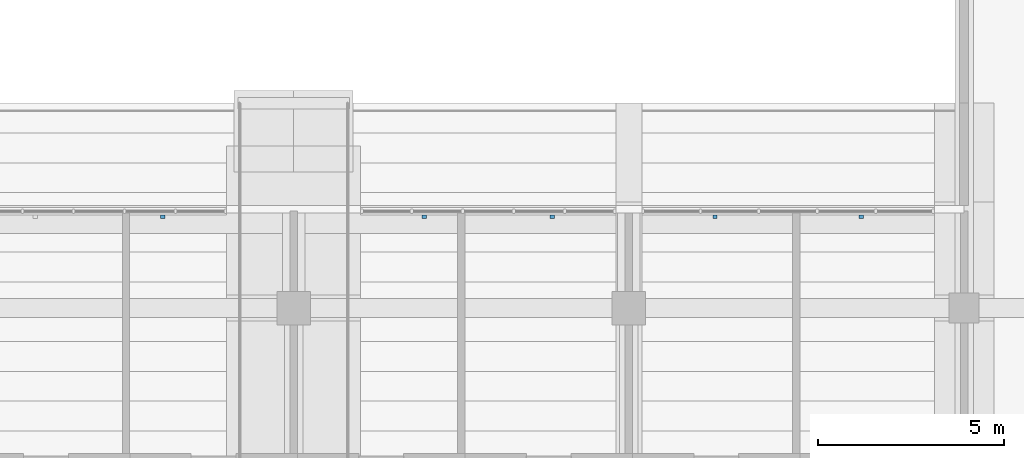
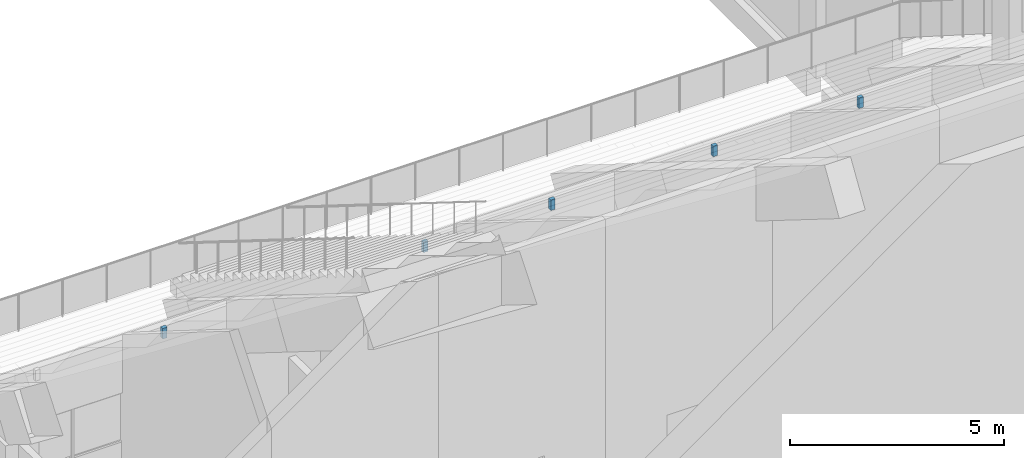
# One storey, part 119 of 182: 5 discrete accessories.
"""IFC4 building model written with IfcOpenShell, lengths in metres."""

import ifcopenshell
import ifcopenshell.guid

model = None  # the IFC model being written
_history = None  # IfcOwnerHistory: only IFC2X3 demands one
_inside = {}  # id of a spatial element -> (the spatial element, [elements in it])
_under = {}  # id of a project, library or spatial element -> (it, [spatial elements below it])
_declared = {}  # id of a project -> (the project, [libraries it declares])
_typed = {}  # id of a type object -> (the type object, [elements of that type])
_made_of = {}  # id of a material, layer set ... -> (it, [elements and type objects made of it])


def new_model(schema):
    """Start an empty IFC model of exactly this schema.

    Asked for "IFC4X3", IfcOpenShell would pick the latest addendum, in which some entities
    have other attributes; the version numbers below select the first issue.
    IFC2X3 requires an IfcOwnerHistory on every rooted entity: one is made here for all.
    """
    global model, _history
    if schema == "IFC4X3":
        model = ifcopenshell.file(schema_version=(4, 3, 0, 0))
    else:
        model = ifcopenshell.file(schema=schema)
    _inside.clear()
    _under.clear()
    _declared.clear()
    _typed.clear()
    _made_of.clear()
    _history = None
    if model.schema == "IFC2X3":
        org = make("IfcOrganization", Name="unknown")
        user = make(
            "IfcPersonAndOrganization",
            ThePerson=make("IfcPerson", FamilyName="unknown"),
            TheOrganization=org,
        )
        app = make(
            "IfcApplication",
            ApplicationDeveloper=org,
            Version="unknown",
            ApplicationFullName="unknown",
            ApplicationIdentifier="unknown",
        )
        _history = make(
            "IfcOwnerHistory",
            OwningUser=user,
            OwningApplication=app,
            ChangeAction="ADDED",
            CreationDate=0,
        )
    return model


def make(cls, **values):
    """One entity of the class cls with the attributes given. An attribute that is None is left unset."""
    return model.create_entity(
        cls, **{name: value for name, value in values.items() if value is not None}
    )


def rooted(cls, **values):
    """An entity with a GlobalId (a new one), such as an element, a storey or a relation."""
    return make(cls, GlobalId=ifcopenshell.guid.new(), OwnerHistory=_history, **values)


def si_unit(unit_type, name, prefix=None):
    """IfcSIUnit, for example si_unit("LENGTHUNIT", "METRE", prefix="MILLI")."""
    return make("IfcSIUnit", UnitType=unit_type, Prefix=prefix, Name=name)


def assignment(units):
    """IfcUnitAssignment: the units of a project."""
    return None if units is None else make("IfcUnitAssignment", Units=units)


def point(xyz):
    """IfcCartesianPoint."""
    return None if xyz is None else make("IfcCartesianPoint", Coordinates=xyz)


def direction(xyz):
    """IfcDirection."""
    return None if xyz is None else make("IfcDirection", DirectionRatios=xyz)


def frame(location, z_axis=None, x_axis=None):
    """IfcAxis2Placement3D, a coordinate frame: its origin and axes. An axis left out is left unset."""
    return make(
        "IfcAxis2Placement3D",
        Location=point(location),
        Axis=direction(z_axis),
        RefDirection=direction(x_axis),
    )


def frame_2d(location, x_axis=None):
    """IfcAxis2Placement2D, a coordinate frame in the plane: its origin and x axis."""
    return make(
        "IfcAxis2Placement2D", Location=point(location), RefDirection=direction(x_axis)
    )


def origin():
    """The frame at (0, 0, 0) with its axes left unset."""
    return frame((0.0, 0.0, 0.0))


def origin_2d():
    """The frame at (0, 0) in the plane with its x axis left unset."""
    return frame_2d((0.0, 0.0))


def place(relative_to, where):
    """IfcLocalPlacement: puts the frame where relative to a parent placement (None: the world)."""
    return make(
        "IfcLocalPlacement", PlacementRelTo=relative_to, RelativePlacement=where
    )


def context(
    kind, dimensions, precision=None, world=None, true_north=None, identifier=None
):
    """IfcGeometricRepresentationContext, for example the 3D "Model" context."""
    return make(
        "IfcGeometricRepresentationContext",
        ContextIdentifier=identifier,
        ContextType=kind,
        CoordinateSpaceDimension=dimensions,
        Precision=precision,
        WorldCoordinateSystem=world,
        TrueNorth=true_north,
    )


def subcontext(parent, identifier, kind, view, scale=None):
    """IfcGeometricRepresentationSubContext, for example "Body" below "Model"."""
    return make(
        "IfcGeometricRepresentationSubContext",
        ContextIdentifier=identifier,
        ContextType=kind,
        ParentContext=parent,
        TargetScale=scale,
        TargetView=view,
    )


def project(units=None, contexts=None):
    """IfcProject with its units and contexts."""
    return rooted(
        "IfcProject",
        Name="project",
        RepresentationContexts=contexts,
        UnitsInContext=assignment(units),
    )


def spatial(cls, under=None, at=None, **own):
    """A site, building, storey or space (cls), placed at a placement, below another one or the project."""
    s = rooted(cls, ObjectPlacement=at, **own)
    if under is not None:
        _under.setdefault(under.id(), (under, []))[1].append(s)
    return s


def profile(cls, at=None, kind="AREA", **sizes):
    """A parametric profile (cls). Its sizes go by their IFC names, for example OverallWidth=200.0."""
    return make(cls, ProfileType=kind, Position=at, **sizes)


def rectangle(**sizes):
    """IfcRectangleProfileDef."""
    return profile("IfcRectangleProfileDef", **sizes)


def extrude(swept, where, along, depth):
    """IfcExtrudedAreaSolid: the profile swept, set in the frame where, extruded along a direction by depth."""
    return make(
        "IfcExtrudedAreaSolid",
        SweptArea=swept,
        Position=where,
        ExtrudedDirection=direction(along),
        Depth=depth,
    )


def shape(context_of_items, identifier, shape_type, items):
    """IfcShapeRepresentation: the items that make up one representation, for example the "Body"."""
    return make(
        "IfcShapeRepresentation",
        ContextOfItems=context_of_items,
        RepresentationIdentifier=identifier,
        RepresentationType=shape_type,
        Items=items,
    )


def material(Name=None, Category=None):
    """IfcMaterial."""
    return make("IfcMaterial", Name=Name, Category=Category)


def made_of(thing, what):
    """Note that an element or type object is made of a material, layer set ...; save() writes the relation."""
    if what is not None:
        _made_of.setdefault(what.id(), (what, []))[1].append(thing)
    return thing


def type_object(cls, material=None, **own):
    """A type object (cls), such as IfcWallType, which elements share."""
    return made_of(rooted(cls, **own), material)


def element(
    cls,
    number,
    at=None,
    inside=None,
    cuts=None,
    type_object=None,
    material=None,
    context=None,
    identifier="Body",
    shape_type=None,
    held_by="IfcProductDefinitionShape",
    body=None,
    shapes=None,
    **own,
):
    """One element of the class cls, such as IfcWall. Its Tag is "e" and its number.

    at: its placement. inside: the storey or other place that contains it. cuts: it is an
    opening in that element (IfcRelVoidsElement). A single representation is given by context,
    identifier, shape_type and body (its items); several are given by shapes. held_by: the class
    of the entity that holds the representations. save() writes the other relations.
    """
    e = rooted(cls, Tag="e%d" % number, ObjectPlacement=at, **own)
    if body is not None:
        shapes = [shape(context, identifier, shape_type, body)]
    if shapes is not None:
        e.Representation = make(held_by, Representations=shapes)
    if inside is not None:
        _inside.setdefault(inside.id(), (inside, []))[1].append(e)
    if cuts is not None:
        rooted(
            "IfcRelVoidsElement", RelatingBuildingElement=cuts, RelatedOpeningElement=e
        )
    if type_object is not None:
        _typed.setdefault(type_object.id(), (type_object, []))[1].append(e)
    return made_of(e, material)


def aggregate(whole, parts):
    """IfcRelAggregates: a whole, such as a stair, and the parts it consists of."""
    return rooted("IfcRelAggregates", RelatingObject=whole, RelatedObjects=parts)


def save(model, path):
    """Write the relations noted so far, then the file.

    IfcRelAggregates (storeys below a building ...), IfcRelContainedInSpatialStructure (elements
    in a storey), IfcRelDefinesByType, IfcRelAssociatesMaterial and IfcRelDeclares: one each for
    every whole, place, type object, material and project.
    """
    for whole, parts in _under.values():
        aggregate(whole, parts)
    for where, things in _inside.values():
        rooted(
            "IfcRelContainedInSpatialStructure",
            RelatedElements=things,
            RelatingStructure=where,
        )
    for kind, things in _typed.values():
        rooted("IfcRelDefinesByType", RelatedObjects=things, RelatingType=kind)
    for what, things in _made_of.values():
        rooted("IfcRelAssociatesMaterial", RelatedObjects=things, RelatingMaterial=what)
    for by, libraries in _declared.values():
        rooted("IfcRelDeclares", RelatingContext=by, RelatedDefinitions=libraries)
    model.write(path)


model = new_model("IFC4")

# Units and contexts
model_context = context("Model", 3, precision=1e-05, world=origin(), true_north=direction((0.0, 1.0)))
body_context = subcontext(model_context, "Body", "Model", "MODEL_VIEW")
ifc_project = project(units=[si_unit("LENGTHUNIT", "METRE"), si_unit("AREAUNIT", "SQUARE_METRE"), si_unit("VOLUMEUNIT", "CUBIC_METRE"), si_unit("PLANEANGLEUNIT", "RADIAN"), si_unit("MASSUNIT", "GRAM", prefix="KILO")], contexts=[model_context])

# Site, building, storey
site_placement = place(None, origin())
site = spatial("IfcSite", under=ifc_project, at=site_placement, CompositionType="ELEMENT")
building_placement = place(site_placement, origin())
building = spatial("IfcBuilding", under=site, at=building_placement, Name="Silverbay Arena", CompositionType="ELEMENT")
storey_placement = place(building_placement, frame((0.0, 0.0, 11.5)))
storey = spatial("IfcBuildingStorey", under=building, at=storey_placement, Name="L02", CompositionType="ELEMENT", Elevation=11.5)

# Discrete accessories
ifc_material = material(Name="Steel S355", Category="steel")
discrete_accessory_type = type_object("IfcDiscreteAccessoryType", Name="Steel bracket plate", PredefinedType="BRACKET", material=ifc_material)
for number, where, z_axis, x_axis, name in (
    (1, (140.487548828125, 47.449951171875, 3.76416015625), (0.0, 0.0, 1.0), (1.0, 0.0, 0.0), "Fascia hanger bracket"),
    (2, (147.512451171875, 47.449951171875, 3.76416015625), (0.0, 0.0, 1.0), (1.0, 0.0, 0.0), "Fascia hanger bracket"),
    (3, (150.9375, 47.449951171875, 3.76416015625), (0.0, 0.0, 1.0), (1.0, 0.0, 0.0), "Fascia hanger bracket"),
    (4, (155.3125, 47.449951171875, 3.76416015625), (0.0, 0.0, 1.0), (1.0, 0.0, 0.0), "Fascia hanger bracket"),
    (5, (159.237548828125, 47.449951171875, 3.76416015625), (0.0, 0.0, 1.0), (1.0, 0.0, 0.0), "Fascia hanger bracket"),
):
    element("IfcDiscreteAccessory", number, at=place(storey_placement, frame(where, z_axis=z_axis, x_axis=x_axis)), inside=storey, type_object=discrete_accessory_type, Name=name, PredefinedType="BRACKET", context=body_context, shape_type="SweptSolid", body=[
        extrude(rectangle(XDim=0.1201171875, YDim=0.10009765625, at=origin_2d()), origin(), (0.0, 0.0, 1.0), 0.300048828125),
    ])

save(model, "model.ifc")
